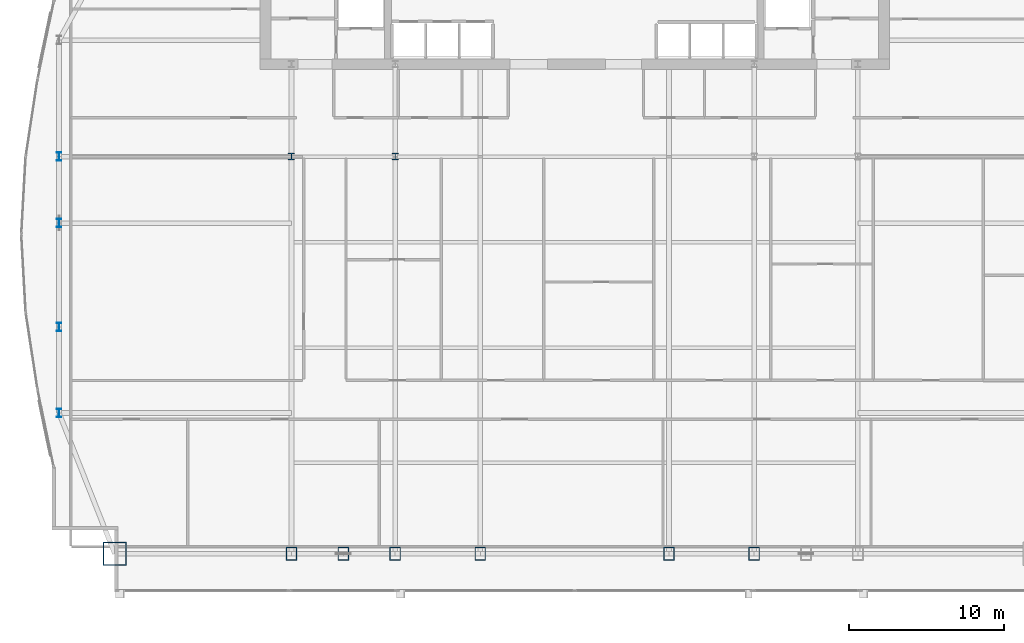
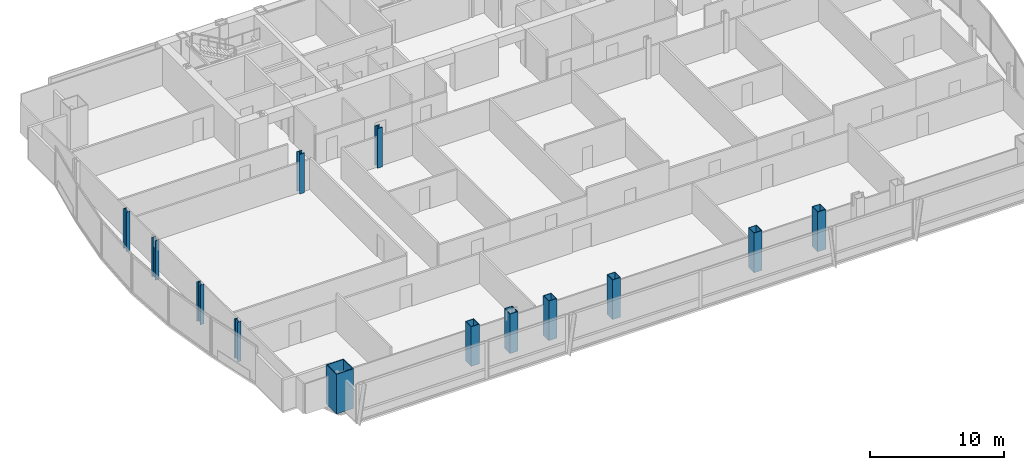
# One storey, part 1 of 33: 13 columns.
"""IFC4 building model written with IfcOpenShell, lengths in metres."""

from ifc_helpers import new_model, si_unit, direction, frame, origin, origin_2d, place, context, subcontext, project, spatial, hollow_rectangle, i_section, extrude, material, material_profile, profile_set, type_object, element, save


model = new_model("IFC4")

# Units and contexts
model_context = context("Model", 3, precision=1e-05, world=origin(), true_north=direction((0.0, 1.0)))
body_context = subcontext(model_context, "Body", "Model", "MODEL_VIEW")
ifc_project = project(units=[si_unit("LENGTHUNIT", "METRE"), si_unit("AREAUNIT", "SQUARE_METRE"), si_unit("VOLUMEUNIT", "CUBIC_METRE"), si_unit("PLANEANGLEUNIT", "RADIAN"), si_unit("MASSUNIT", "GRAM", prefix="KILO")], contexts=[model_context])

# Site, building, storey
site_placement = place(None, origin())
site = spatial("IfcSite", under=ifc_project, at=site_placement, CompositionType="ELEMENT")
building_placement = place(site_placement, origin())
building = spatial("IfcBuilding", under=site, at=building_placement, Name="Khoronbel Lancet Exchange", CompositionType="ELEMENT")
storey_placement = place(building_placement, frame((0.0, 0.0, 114.60009765625)))
storey = spatial("IfcBuildingStorey", under=building, at=storey_placement, Name="L27", CompositionType="ELEMENT", Elevation=114.60009765625)

# Columns
ifc_material_1 = material(Name="Steel S460", Category="steel")
ifc_material_profile_1 = material_profile(ifc_material_1, hollow_rectangle(XDim=0.699951171875, YDim=0.85009765625, WallThickness=0.050048828125, at=origin_2d()), Name="BOX 850x700x50")
ifc_profile_set_1 = profile_set([ifc_material_profile_1], Name="Steel S460")
column_type_1 = type_object("IfcColumnType", Name="COL-EC2", PredefinedType="COLUMN", material=ifc_profile_set_1)
for number, where, z_axis, x_axis, name in (
    (1, (18.22509765625, 10.14990234375, 0.0), (0.0, 0.0, 1.0), (1.0, 0.0, 0.0), "Structural column SC-W1 L27"),
    (2, (21.5625, 10.14990234375, 0.0), (0.0, 0.0, 1.0), (1.0, 0.0, 0.0), "Structural column SC-WM L27"),
    (3, (24.89990234375, 10.14990234375, 0.0), (0.0, 0.0, 1.0), (1.0, 0.0, 0.0), "Structural column SC-W2 L27"),
    (4, (30.375, 10.14990234375, 0.0), (0.0, 0.0, 1.0), (1.0, 0.0, 0.0), "Structural column SC-C1 L27"),
    (5, (42.52490234375, 10.14990234375, 0.0), (0.0, 0.0, 1.0), (1.0, 0.0, 0.0), "Structural column SC-C2 L27"),
    (6, (48.0, 10.14990234375, 0.0), (0.0, 0.0, 1.0), (1.0, 0.0, 0.0), "Structural column SC-E1 L27"),
):
    element("IfcColumn", number, at=place(storey_placement, frame(where, z_axis=z_axis, x_axis=x_axis)), inside=storey, type_object=column_type_1, Name=name, PredefinedType="COLUMN", context=body_context, shape_type="SweptSolid", body=[
        extrude(hollow_rectangle(XDim=0.699951171875, YDim=0.85009765625, WallThickness=0.050048828125, at=origin_2d()), origin(), (0.0, 0.0, 1.0), 3.599853515625),
    ])
ifc_material_profile_2 = material_profile(ifc_material_1, i_section(OverallWidth=0.416015625, OverallDepth=0.446044921875, WebThickness=0.0390625, FlangeThickness=0.062744140625, at=origin_2d()), Name="HD 400x509")
ifc_profile_set_2 = profile_set([ifc_material_profile_2], Name="Steel S460")
column_type_2 = type_object("IfcColumnType", Name="COL-IC2", PredefinedType="COLUMN", material=ifc_profile_set_2)
for number, where, z_axis, x_axis, name in (
    (7, (18.22509765625, 35.699951171875, 0.0), (0.0, 0.0, 1.0), (1.0, 0.0, 0.0), "Spine gravity column TC1 L27"),
    (8, (24.89990234375, 35.699951171875, 0.0), (0.0, 0.0, 1.0), (1.0, 0.0, 0.0), "Spine gravity column TC2 L27"),
):
    element("IfcColumn", number, at=place(storey_placement, frame(where, z_axis=z_axis, x_axis=x_axis)), inside=storey, type_object=column_type_2, Name=name, PredefinedType="COLUMN", context=body_context, shape_type="SweptSolid", body=[
        extrude(i_section(OverallWidth=0.416015625, OverallDepth=0.446044921875, WebThickness=0.0390625, FlangeThickness=0.062744140625, at=origin_2d()), origin(), (0.0, 0.0, 1.0), 3.599853515625),
    ])
ifc_material_2 = material(Name="Steel S355", Category="steel")
ifc_material_profile_3 = material_profile(ifc_material_2, i_section(OverallWidth=0.300048828125, OverallDepth=0.550048828125, WebThickness=0.014892578125, FlangeThickness=0.029052734375, at=origin_2d()), Name="HEB 550")
ifc_profile_set_3 = profile_set([ifc_material_profile_3], Name="Steel S355")
column_type_3 = type_object("IfcColumnType", Name="COL-LC1", PredefinedType="COLUMN", material=ifc_profile_set_3)
for number, where, z_axis, x_axis, name in (
    (9, (3.27001953125, 19.199951171875, 0.0), (0.0, 0.0, 1.0), (1.0, 0.0, 0.0), "Structural column WC-1 L27"),
    (10, (3.27001953125, 24.75, 0.0), (0.0, 0.0, 1.0), (1.0, 0.0, 0.0), "Structural column WC-2 L27"),
    (11, (3.27001953125, 31.425048828125, 0.0), (0.0, 0.0, 1.0), (1.0, 0.0, 0.0), "Structural column WC-M L27"),
    (12, (3.27001953125, 35.699951171875, 0.0), (0.0, 0.0, 1.0), (1.0, 0.0, 0.0), "Structural column WC-3 L27"),
):
    element("IfcColumn", number, at=place(storey_placement, frame(where, z_axis=z_axis, x_axis=x_axis)), inside=storey, type_object=column_type_3, Name=name, PredefinedType="COLUMN", context=body_context, shape_type="SweptSolid", body=[
        extrude(i_section(OverallWidth=0.300048828125, OverallDepth=0.550048828125, WebThickness=0.014892578125, FlangeThickness=0.029052734375, at=origin_2d()), origin(), (0.0, 0.0, 1.0), 3.599853515625),
    ])
ifc_material_profile_4 = material_profile(ifc_material_1, hollow_rectangle(XDim=1.5, YDim=1.5, WallThickness=0.070068359375, at=origin_2d()), Name="BOX 1500x1500x70")
ifc_profile_set_4 = profile_set([ifc_material_profile_4], Name="Steel S460")
column_type_4 = type_object("IfcColumnType", Name="COL-MC3", PredefinedType="COLUMN", material=ifc_profile_set_4)
column_placement = place(storey_placement, frame((6.85009765625, 10.14990234375, 0.0), z_axis=(0.0, 0.0, 1.0), x_axis=(1.0, 0.0, 0.0)))
element("IfcColumn", 13, at=column_placement, inside=storey, type_object=column_type_4, Name="Structural column MC-SW L27", PredefinedType="COLUMN", context=body_context, shape_type="SweptSolid", body=[
    extrude(hollow_rectangle(XDim=1.5, YDim=1.5, WallThickness=0.070068359375, at=origin_2d()), origin(), (0.0, 0.0, 1.0), 3.599853515625),
])

save(model, "model.ifc")
